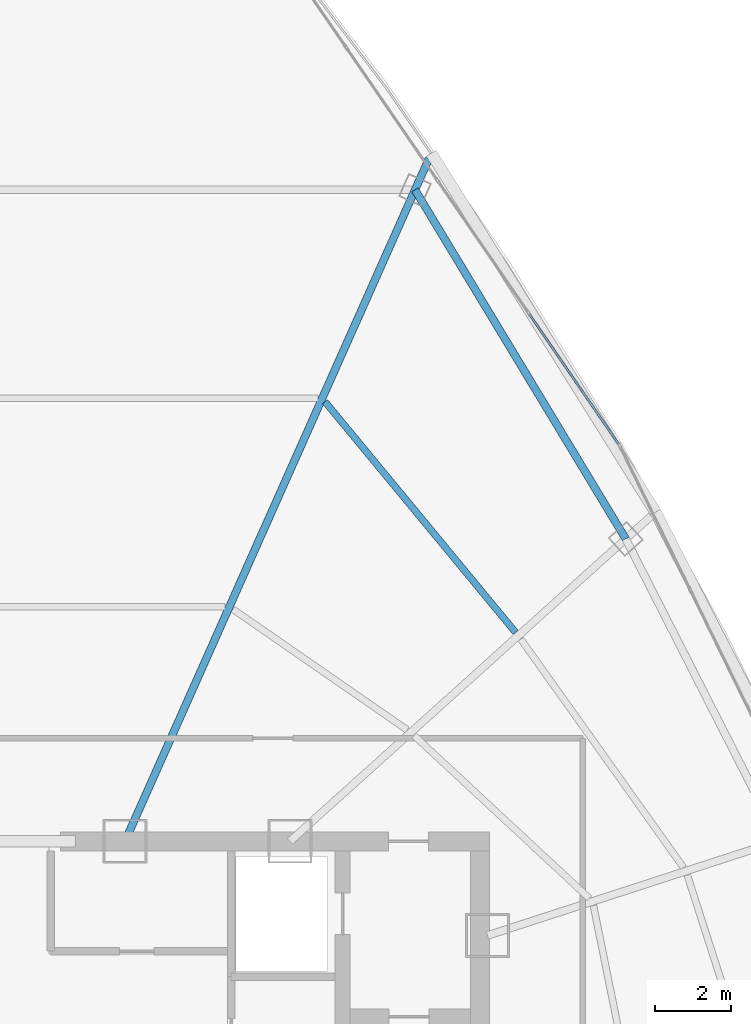
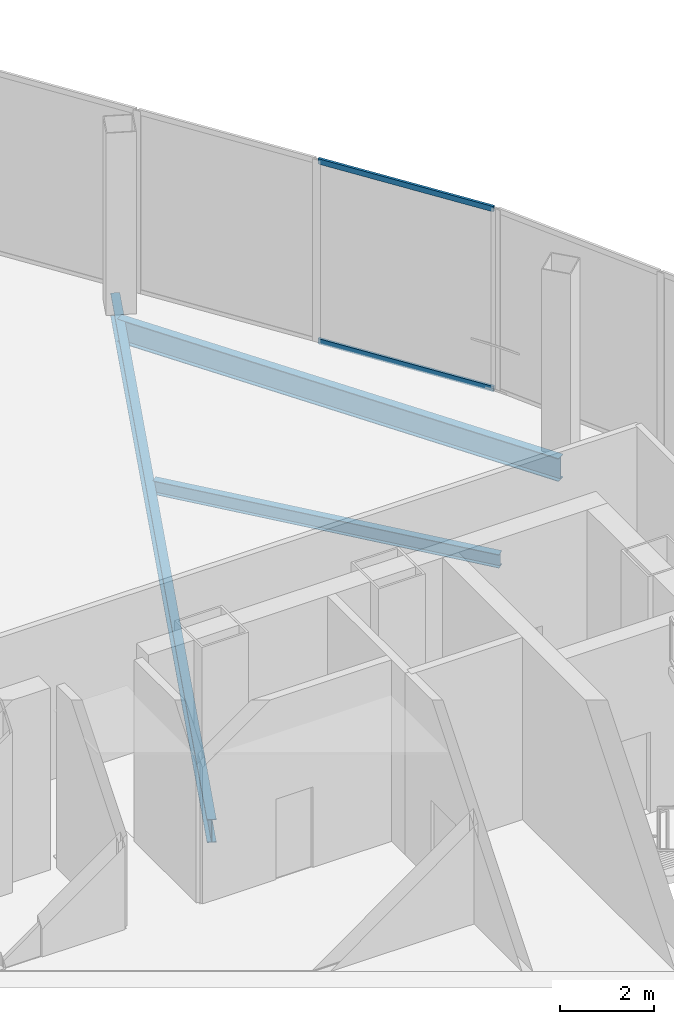
# One storey, part 21 of 33: 3 beams, 2 members, 1 element without a shape of its own.
"""IFC4 building model written with IfcOpenShell, lengths in metres."""

import ifcopenshell
import ifcopenshell.guid

model = None  # the IFC model being written
_history = None  # IfcOwnerHistory: only IFC2X3 demands one
_inside = {}  # id of a spatial element -> (the spatial element, [elements in it])
_under = {}  # id of a project, library or spatial element -> (it, [spatial elements below it])
_declared = {}  # id of a project -> (the project, [libraries it declares])
_typed = {}  # id of a type object -> (the type object, [elements of that type])
_made_of = {}  # id of a material, layer set ... -> (it, [elements and type objects made of it])


def new_model(schema):
    """Start an empty IFC model of exactly this schema.

    Asked for "IFC4X3", IfcOpenShell would pick the latest addendum, in which some entities
    have other attributes; the version numbers below select the first issue.
    IFC2X3 requires an IfcOwnerHistory on every rooted entity: one is made here for all.
    """
    global model, _history
    if schema == "IFC4X3":
        model = ifcopenshell.file(schema_version=(4, 3, 0, 0))
    else:
        model = ifcopenshell.file(schema=schema)
    _inside.clear()
    _under.clear()
    _declared.clear()
    _typed.clear()
    _made_of.clear()
    _history = None
    if model.schema == "IFC2X3":
        org = make("IfcOrganization", Name="unknown")
        user = make(
            "IfcPersonAndOrganization",
            ThePerson=make("IfcPerson", FamilyName="unknown"),
            TheOrganization=org,
        )
        app = make(
            "IfcApplication",
            ApplicationDeveloper=org,
            Version="unknown",
            ApplicationFullName="unknown",
            ApplicationIdentifier="unknown",
        )
        _history = make(
            "IfcOwnerHistory",
            OwningUser=user,
            OwningApplication=app,
            ChangeAction="ADDED",
            CreationDate=0,
        )
    return model


def make(cls, **values):
    """One entity of the class cls with the attributes given. An attribute that is None is left unset."""
    return model.create_entity(
        cls, **{name: value for name, value in values.items() if value is not None}
    )


def rooted(cls, **values):
    """An entity with a GlobalId (a new one), such as an element, a storey or a relation."""
    return make(cls, GlobalId=ifcopenshell.guid.new(), OwnerHistory=_history, **values)


def si_unit(unit_type, name, prefix=None):
    """IfcSIUnit, for example si_unit("LENGTHUNIT", "METRE", prefix="MILLI")."""
    return make("IfcSIUnit", UnitType=unit_type, Prefix=prefix, Name=name)


def assignment(units):
    """IfcUnitAssignment: the units of a project."""
    return None if units is None else make("IfcUnitAssignment", Units=units)


def point(xyz):
    """IfcCartesianPoint."""
    return None if xyz is None else make("IfcCartesianPoint", Coordinates=xyz)


def direction(xyz):
    """IfcDirection."""
    return None if xyz is None else make("IfcDirection", DirectionRatios=xyz)


def frame(location, z_axis=None, x_axis=None):
    """IfcAxis2Placement3D, a coordinate frame: its origin and axes. An axis left out is left unset."""
    return make(
        "IfcAxis2Placement3D",
        Location=point(location),
        Axis=direction(z_axis),
        RefDirection=direction(x_axis),
    )


def frame_2d(location, x_axis=None):
    """IfcAxis2Placement2D, a coordinate frame in the plane: its origin and x axis."""
    return make(
        "IfcAxis2Placement2D", Location=point(location), RefDirection=direction(x_axis)
    )


def origin():
    """The frame at (0, 0, 0) with its axes left unset."""
    return frame((0.0, 0.0, 0.0))


def origin_2d():
    """The frame at (0, 0) in the plane with its x axis left unset."""
    return frame_2d((0.0, 0.0))


def place(relative_to, where):
    """IfcLocalPlacement: puts the frame where relative to a parent placement (None: the world)."""
    return make(
        "IfcLocalPlacement", PlacementRelTo=relative_to, RelativePlacement=where
    )


def context(
    kind, dimensions, precision=None, world=None, true_north=None, identifier=None
):
    """IfcGeometricRepresentationContext, for example the 3D "Model" context."""
    return make(
        "IfcGeometricRepresentationContext",
        ContextIdentifier=identifier,
        ContextType=kind,
        CoordinateSpaceDimension=dimensions,
        Precision=precision,
        WorldCoordinateSystem=world,
        TrueNorth=true_north,
    )


def subcontext(parent, identifier, kind, view, scale=None):
    """IfcGeometricRepresentationSubContext, for example "Body" below "Model"."""
    return make(
        "IfcGeometricRepresentationSubContext",
        ContextIdentifier=identifier,
        ContextType=kind,
        ParentContext=parent,
        TargetScale=scale,
        TargetView=view,
    )


def project(units=None, contexts=None):
    """IfcProject with its units and contexts."""
    return rooted(
        "IfcProject",
        Name="project",
        RepresentationContexts=contexts,
        UnitsInContext=assignment(units),
    )


def spatial(cls, under=None, at=None, **own):
    """A site, building, storey or space (cls), placed at a placement, below another one or the project."""
    s = rooted(cls, ObjectPlacement=at, **own)
    if under is not None:
        _under.setdefault(under.id(), (under, []))[1].append(s)
    return s


def profile(cls, at=None, kind="AREA", **sizes):
    """A parametric profile (cls). Its sizes go by their IFC names, for example OverallWidth=200.0."""
    return make(cls, ProfileType=kind, Position=at, **sizes)


def hollow_rectangle(**sizes):
    """IfcRectangleHollowProfileDef."""
    return profile("IfcRectangleHollowProfileDef", **sizes)


def i_section(**sizes):
    """IfcIShapeProfileDef."""
    return profile("IfcIShapeProfileDef", **sizes)


def extrude(swept, where, along, depth):
    """IfcExtrudedAreaSolid: the profile swept, set in the frame where, extruded along a direction by depth."""
    return make(
        "IfcExtrudedAreaSolid",
        SweptArea=swept,
        Position=where,
        ExtrudedDirection=direction(along),
        Depth=depth,
    )


def shape(context_of_items, identifier, shape_type, items):
    """IfcShapeRepresentation: the items that make up one representation, for example the "Body"."""
    return make(
        "IfcShapeRepresentation",
        ContextOfItems=context_of_items,
        RepresentationIdentifier=identifier,
        RepresentationType=shape_type,
        Items=items,
    )


def source(mapping_origin, context_of_items, identifier, shape_type, items):
    """IfcRepresentationMap: a shape defined once, which mapped items show again and again."""
    return make(
        "IfcRepresentationMap",
        MappingOrigin=mapping_origin,
        MappedRepresentation=shape(context_of_items, identifier, shape_type, items),
    )


def transform(
    local_origin,
    x_axis=None,
    y_axis=None,
    z_axis=None,
    scale=None,
    scale2=None,
    scale3=None,
    uniform=True,
):
    """IfcCartesianTransformationOperator3D, or its non-uniform kind. x_axis, y_axis, z_axis: its Axis1, 2, 3."""
    if uniform:
        return make(
            "IfcCartesianTransformationOperator3D",
            Axis1=direction(x_axis),
            Axis2=direction(y_axis),
            LocalOrigin=point(local_origin),
            Scale=scale,
            Axis3=direction(z_axis),
        )
    return make(
        "IfcCartesianTransformationOperator3DnonUniform",
        Axis1=direction(x_axis),
        Axis2=direction(y_axis),
        LocalOrigin=point(local_origin),
        Scale=scale,
        Axis3=direction(z_axis),
        Scale2=scale2,
        Scale3=scale3,
    )


def mapped(mapping_source, mapping_target):
    """IfcMappedItem: shows the shape of a source again, moved by a transform."""
    return make(
        "IfcMappedItem", MappingSource=mapping_source, MappingTarget=mapping_target
    )


def material(Name=None, Category=None):
    """IfcMaterial."""
    return make("IfcMaterial", Name=Name, Category=Category)


def layer(
    of_material, thickness, ventilated=None, Name=None, Category=None, Priority=None
):
    """IfcMaterialLayer: one layer of a wall or slab, of a material (None: an air gap)."""
    return make(
        "IfcMaterialLayer",
        Material=of_material,
        LayerThickness=thickness,
        IsVentilated=ventilated,
        Name=Name,
        Category=Category,
        Priority=Priority,
    )


def layer_set(layers, Name=None):
    """IfcMaterialLayerSet."""
    return make("IfcMaterialLayerSet", MaterialLayers=layers, LayerSetName=Name)


def material_profile(
    of_material, cross_section, Name=None, Category=None, Priority=None
):
    """IfcMaterialProfile: a cross section and its material."""
    return make(
        "IfcMaterialProfile",
        Name=Name,
        Material=of_material,
        Profile=cross_section,
        Priority=Priority,
        Category=Category,
    )


def profile_set(profiles, Name=None, composite=None):
    """IfcMaterialProfileSet."""
    return make(
        "IfcMaterialProfileSet",
        Name=Name,
        MaterialProfiles=profiles,
        CompositeProfile=composite,
    )


def made_of(thing, what):
    """Note that an element or type object is made of a material, layer set ...; save() writes the relation."""
    if what is not None:
        _made_of.setdefault(what.id(), (what, []))[1].append(thing)
    return thing


def type_object(cls, material=None, **own):
    """A type object (cls), such as IfcWallType, which elements share."""
    return made_of(rooted(cls, **own), material)


def element(
    cls,
    number,
    at=None,
    inside=None,
    cuts=None,
    type_object=None,
    material=None,
    context=None,
    identifier="Body",
    shape_type=None,
    held_by="IfcProductDefinitionShape",
    body=None,
    shapes=None,
    **own,
):
    """One element of the class cls, such as IfcWall. Its Tag is "e" and its number.

    at: its placement. inside: the storey or other place that contains it. cuts: it is an
    opening in that element (IfcRelVoidsElement). A single representation is given by context,
    identifier, shape_type and body (its items); several are given by shapes. held_by: the class
    of the entity that holds the representations. save() writes the other relations.
    """
    e = rooted(cls, Tag="e%d" % number, ObjectPlacement=at, **own)
    if body is not None:
        shapes = [shape(context, identifier, shape_type, body)]
    if shapes is not None:
        e.Representation = make(held_by, Representations=shapes)
    if inside is not None:
        _inside.setdefault(inside.id(), (inside, []))[1].append(e)
    if cuts is not None:
        rooted(
            "IfcRelVoidsElement", RelatingBuildingElement=cuts, RelatedOpeningElement=e
        )
    if type_object is not None:
        _typed.setdefault(type_object.id(), (type_object, []))[1].append(e)
    return made_of(e, material)


def aggregate(whole, parts):
    """IfcRelAggregates: a whole, such as a stair, and the parts it consists of."""
    return rooted("IfcRelAggregates", RelatingObject=whole, RelatedObjects=parts)


def save(model, path):
    """Write the relations noted so far, then the file.

    IfcRelAggregates (storeys below a building ...), IfcRelContainedInSpatialStructure (elements
    in a storey), IfcRelDefinesByType, IfcRelAssociatesMaterial and IfcRelDeclares: one each for
    every whole, place, type object, material and project.
    """
    for whole, parts in _under.values():
        aggregate(whole, parts)
    for where, things in _inside.values():
        rooted(
            "IfcRelContainedInSpatialStructure",
            RelatedElements=things,
            RelatingStructure=where,
        )
    for kind, things in _typed.values():
        rooted("IfcRelDefinesByType", RelatedObjects=things, RelatingType=kind)
    for what, things in _made_of.values():
        rooted("IfcRelAssociatesMaterial", RelatedObjects=things, RelatingMaterial=what)
    for by, libraries in _declared.values():
        rooted("IfcRelDeclares", RelatingContext=by, RelatedDefinitions=libraries)
    model.write(path)


model = new_model("IFC4")

# Units and contexts
model_context = context("Model", 3, precision=1e-05, world=origin(), true_north=direction((0.0, 1.0)))
body_context = subcontext(model_context, "Body", "Model", "MODEL_VIEW")
ifc_project = project(units=[si_unit("LENGTHUNIT", "METRE"), si_unit("AREAUNIT", "SQUARE_METRE"), si_unit("VOLUMEUNIT", "CUBIC_METRE"), si_unit("PLANEANGLEUNIT", "RADIAN"), si_unit("MASSUNIT", "GRAM", prefix="KILO"), si_unit("THERMODYNAMICTEMPERATUREUNIT", "KELVIN"), si_unit("POWERUNIT", "WATT")], contexts=[model_context])

# Site, building, storey
site_placement = place(None, origin())
site = spatial("IfcSite", under=ifc_project, at=site_placement, CompositionType="ELEMENT")
building_placement = place(site_placement, origin())
building = spatial("IfcBuilding", under=site, at=building_placement, Name="Yunzhuo Pagoda Commons", CompositionType="ELEMENT")
storey_placement = place(building_placement, frame((0.0, 0.0, 386.760009765625)))
storey = spatial("IfcBuildingStorey", under=building, at=storey_placement, Name="L96", CompositionType="ELEMENT", Elevation=386.760009765625)

# Beams
ifc_material_1 = material(Name="Structural steel Q355B", Category="steel")
ifc_material_profile_1 = material_profile(ifc_material_1, i_section(OverallWidth=0.199951171875, OverallDepth=0.60009765625, WebThickness=0.010986328125, FlangeThickness=0.01708984375, at=origin_2d()), Name="Structural steel Q355B")
ifc_profile_set_1 = profile_set([ifc_material_profile_1], Name="Structural steel Q355B")
beam_type_1 = type_object("IfcBeamType", Name="B-RG3 Beam HN 600x200x11x17", PredefinedType="BEAM", material=ifc_profile_set_1)
shared_shape_1 = source(origin(), body_context, "Body", "SweptSolid", [
    extrude(i_section(OverallWidth=0.199951171875, OverallDepth=0.60009765625, WebThickness=0.010986328125, FlangeThickness=0.01708984375, at=origin_2d()), origin(), (0.0, 0.0, 1.0), 10.691162109375),
])
beam_1_placement = place(storey_placement, frame((64.024658203125, 48.128662109375, -0.580078125), z_axis=(-0.516864678433, 0.856067114301, 0.0), x_axis=(-0.856067114301, -0.516864678433, 0.0)))
element("IfcBeam", 1, at=beam_1_placement, inside=storey, type_object=beam_type_1, Name="L96 column-ring beam 7", PredefinedType="BEAM", context=body_context, shape_type="MappedRepresentation", body=[
    mapped(shared_shape_1, transform((0.0, 0.0, 0.0), scale=1.0)),
])
ifc_material_profile_2 = material_profile(ifc_material_1, i_section(OverallWidth=0.175048828125, OverallDepth=0.35009765625, WebThickness=0.007080078125, FlangeThickness=0.010986328125, at=origin_2d()), Name="Structural steel Q355B")
ifc_profile_set_2 = profile_set([ifc_material_profile_2], Name="Structural steel Q355B")
beam_type_2 = type_object("IfcBeamType", Name="B-JS2 Joist HN 350x175x7x11", PredefinedType="JOIST", material=ifc_profile_set_2)
shared_shape_2 = source(origin(), body_context, "Body", "SweptSolid", [
    extrude(i_section(OverallWidth=0.175048828125, OverallDepth=0.35009765625, WebThickness=0.007080078125, FlangeThickness=0.010986328125, at=origin_2d()), origin(), (0.0, 0.0, 1.0), 7.842529296875),
])
beam_2_placement = place(storey_placement, frame((61.133544921875, 45.68017578125, -0.455078125), z_axis=(-0.636899145749, 0.770947130577, 0.0), x_axis=(-0.770947130577, -0.636899145749, 0.0)))
element("IfcBeam", 2, at=beam_2_placement, inside=storey, type_object=beam_type_2, Name="L96 composite ring joist 2.7", PredefinedType="JOIST", context=body_context, shape_type="MappedRepresentation", body=[
    mapped(shared_shape_2, transform((0.0, 0.0, 0.0), scale=1.0)),
])
shared_shape_3 = source(origin(), body_context, "Body", "SweptSolid", [
    extrude(i_section(OverallWidth=0.199951171875, OverallDepth=0.60009765625, WebThickness=0.010986328125, FlangeThickness=0.01708984375, at=origin_2d()), origin(), (0.0, 0.0, 1.0), 19.59228515625),
])
beam_3_placement = place(storey_placement, frame((58.86279296875, 58.098388671875, -0.580078125), z_axis=(-0.406730347382, -0.91354826064, 0.0), x_axis=(0.91354826064, -0.406730347382, 0.0)))
element("IfcBeam", 3, at=beam_3_placement, inside=storey, type_object=beam_type_1, Name="L96 radial floor girder F2C4", PredefinedType="BEAM", context=body_context, shape_type="MappedRepresentation", body=[
    mapped(shared_shape_3, transform((0.0, 0.0, 0.0), scale=1.0)),
])

# Curtain wall, members
ifc_material_2 = material(Name="Anodized aluminium 6063-T6", Category="aluminium")
ifc_layer = layer(ifc_material_2, 0.179931640625)
ifc_layer_set = layer_set([ifc_layer], Name="Anodized aluminium 6063-T6")
curtain_wall_type = type_object("IfcCurtainWallType", Name="CW-CRN Crown Gable Glazing System", PredefinedType="NOTDEFINED", material=ifc_layer_set)
curtain_wall_placement = place(storey_placement, origin())
curtain_wall = element("IfcCurtainWall", 4, at=curtain_wall_placement, inside=storey, type_object=curtain_wall_type, Name="L96 curtain wall CW-L96-CRNF2G2", PredefinedType="NOTDEFINED")
ifc_material_profile_3 = material_profile(ifc_material_2, hollow_rectangle(XDim=0.06005859375, YDim=0.139892578125, WallThickness=0.00341796875, at=origin_2d()), Name="Anodized aluminium 6063-T6")
ifc_profile_set_3 = profile_set([ifc_material_profile_3], Name="Anodized aluminium 6063-T6")
member_type = type_object("IfcMemberType", Name="CW-CRN-T Transom RHS 140x60x3.5", PredefinedType="USERDEFINED", material=ifc_profile_set_3)
shared_shape_4 = source(origin(), body_context, "Body", "SweptSolid", [
    extrude(hollow_rectangle(XDim=0.06005859375, YDim=0.139892578125, WallThickness=0.00341796875, at=origin_2d()), origin(), (0.0, 0.0, 1.0), 4.125244140625),
])
member_1_placement = place(storey_placement, frame((63.82861328125, 50.6259765625, 0.030029296875), z_axis=(-0.566146975172, 0.824304314258, 0.0), x_axis=(-0.824304314258, -0.566146975172, 0.0)))
member_1 = element("IfcMember", 5, at=member_1_placement, type_object=member_type, Name="CW transom 1.1", ObjectType="TRANSOM", PredefinedType="USERDEFINED", context=body_context, shape_type="MappedRepresentation", body=[
    mapped(shared_shape_4, transform((0.0, 0.0, 0.0), scale=1.0)),
])
member_2_placement = place(storey_placement, frame((63.82861328125, 50.6259765625, 4.68994140625), z_axis=(-0.566146975172, 0.824304314258, 0.0), x_axis=(-0.824304314258, -0.566146975172, 0.0)))
member_2 = element("IfcMember", 6, at=member_2_placement, type_object=member_type, Name="CW transom 1.2", ObjectType="TRANSOM", PredefinedType="USERDEFINED", context=body_context, shape_type="MappedRepresentation", body=[
    mapped(shared_shape_4, transform((0.0, 0.0, 0.0), scale=1.0)),
])
aggregate(curtain_wall, [member_1, member_2])

save(model, "model.ifc")
